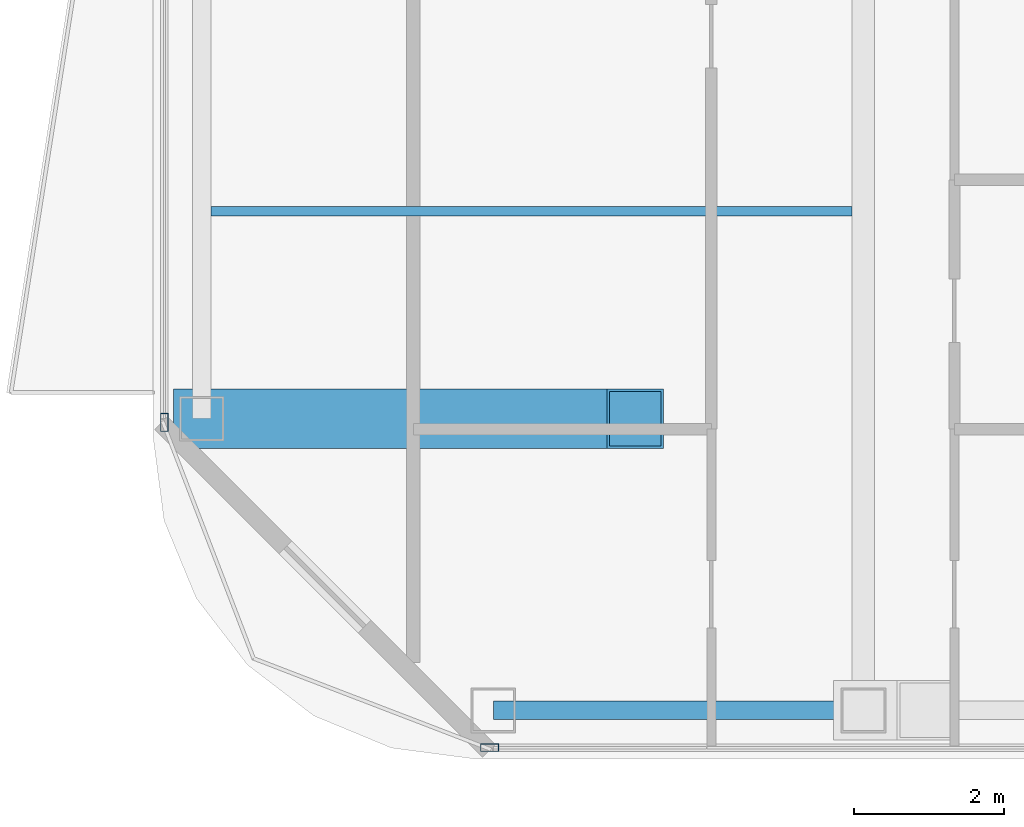
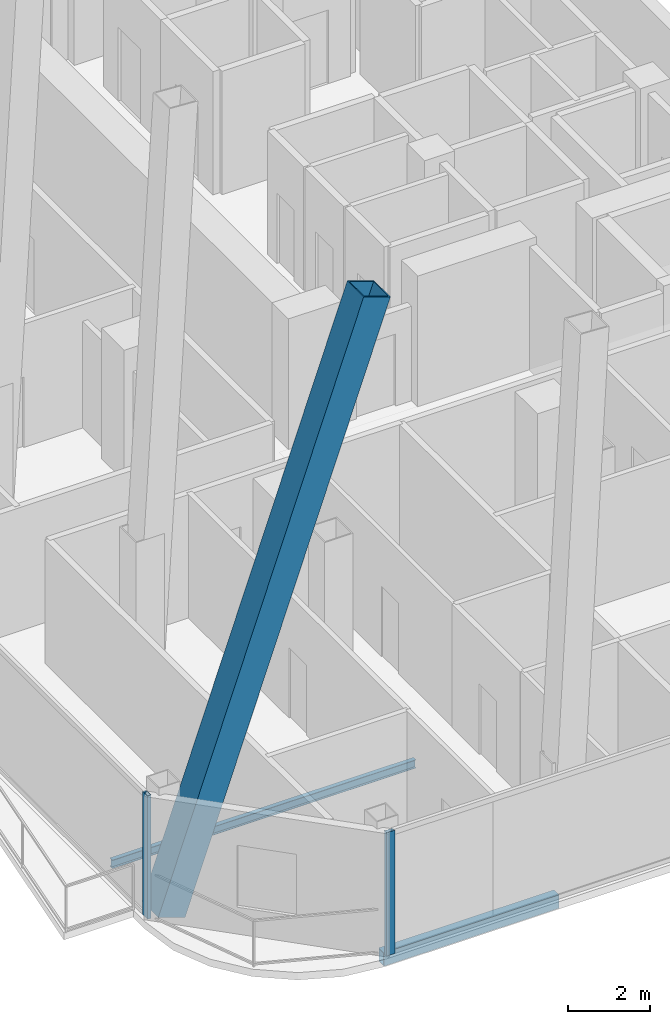
# One storey, part 2 of 27: 3 members, 2 beams, 2 elements without a shape of their own.
"""IFC4 building model written with IfcOpenShell, lengths in metres."""

from ifc_helpers import new_model, si_unit, direction, frame, origin, origin_2d, place, context, subcontext, project, spatial, hollow_rectangle, i_section, extrude, material, layer, layer_set, material_profile, profile_set, type_object, element, aggregate, save


model = new_model("IFC4")

# Units and contexts
model_context = context("Model", 3, precision=1e-05, world=origin(), true_north=direction((0.0, 1.0)))
body_context = subcontext(model_context, "Body", "Model", "MODEL_VIEW")
ifc_project = project(units=[si_unit("LENGTHUNIT", "METRE"), si_unit("AREAUNIT", "SQUARE_METRE"), si_unit("VOLUMEUNIT", "CUBIC_METRE"), si_unit("PLANEANGLEUNIT", "RADIAN"), si_unit("MASSUNIT", "GRAM", prefix="KILO")], contexts=[model_context])

# Site, building, storey
site_placement = place(None, origin())
site = spatial("IfcSite", under=ifc_project, at=site_placement, CompositionType="ELEMENT")
building_placement = place(site_placement, origin())
building = spatial("IfcBuilding", under=site, at=building_placement, Name="Khorvyn Point Tower", CompositionType="ELEMENT")
storey_placement = place(building_placement, frame((0.0, 0.0, 203.10009765625)))
storey = spatial("IfcBuildingStorey", under=building, at=storey_placement, Name="L50", CompositionType="ELEMENT", Elevation=203.10009765625)

# Curtain wall, member
ifc_material_1 = material(Name="Anodised aluminium 6063-T6 and laminated Low-E glass", Category="aluminium")
ifc_layer = layer(ifc_material_1, 0.18994140625)
ifc_layer_set = layer_set([ifc_layer], Name="Stick-Built Acoustic Curtain Wall CW-SYS-03")
curtain_wall_type = type_object("IfcCurtainWallType", Name="Stick-Built Acoustic Curtain Wall CW-SYS-03", PredefinedType="NOTDEFINED", material=ifc_layer_set)
curtain_wall_1_placement = place(storey_placement, origin())
curtain_wall_1 = element("IfcCurtainWall", 1, at=curtain_wall_1_placement, inside=storey, type_object=curtain_wall_type, Name="Curtain Wall", PredefinedType="NOTDEFINED")
ifc_material_2 = material(Name="Anodised aluminium 6063-T6", Category="aluminium")
ifc_material_profile_1 = material_profile(ifc_material_2, hollow_rectangle(XDim=0.10009765625, YDim=0.239990234375, WallThickness=0.0048828125, at=origin_2d()))
ifc_profile_set_1 = profile_set([ifc_material_profile_1], Name="Anodised aluminium 6063-T6 ALU-MUL-100x240")
member_type_1 = type_object("IfcMemberType", Name="Anodised Aluminium 6063-T6 Mullion ALU-MUL-100x240", PredefinedType="MULLION", material=ifc_profile_set_1)
member_1_placement = place(storey_placement, frame((-19.800048828125, -28.64990234375, 0.0), z_axis=(0.0, 0.0, 1.0), x_axis=(0.0, -1.0, 0.0)))
member_1 = element("IfcMember", 2, at=member_1_placement, type_object=member_type_1, Name="Transom", PredefinedType="MULLION", context=body_context, shape_type="SweptSolid", body=[
    extrude(hollow_rectangle(XDim=0.10009765625, YDim=0.239990234375, WallThickness=0.0048828125, at=origin_2d()), origin(), (0.0, 0.0, 1.0), 3.679931640625),
])
aggregate(curtain_wall_1, [member_1])

curtain_wall_2_placement = place(storey_placement, origin())
curtain_wall_2 = element("IfcCurtainWall", 3, at=curtain_wall_2_placement, inside=storey, type_object=curtain_wall_type, Name="Curtain Wall", PredefinedType="NOTDEFINED")
member_2_placement = place(storey_placement, frame((-24.14990234375, -24.300048828125, 0.0), z_axis=(0.0, 0.0, 1.0), x_axis=(-1.0, 0.0, 0.0)))
member_2 = element("IfcMember", 4, at=member_2_placement, type_object=member_type_1, Name="Transom", PredefinedType="MULLION", context=body_context, shape_type="SweptSolid", body=[
    extrude(hollow_rectangle(XDim=0.10009765625, YDim=0.239990234375, WallThickness=0.0048828125, at=origin_2d()), origin(), (0.0, 0.0, 1.0), 3.679931640625),
])
aggregate(curtain_wall_2, [member_2])

# Beams
ifc_material_3 = material(Name="Steel S355", Category="steel")
ifc_material_profile_2 = material_profile(ifc_material_3, i_section(OverallWidth=0.125, OverallDepth=0.25, WebThickness=0.006103515625, FlangeThickness=0.009033203125, at=origin_2d()))
ifc_profile_set_2 = profile_set([ifc_material_profile_2], Name="Steel S355 H250x125x6x9")
beam_type_1 = type_object("IfcBeamType", Name="Steel S355 Joist H250x125x6x9", PredefinedType="JOIST", material=ifc_profile_set_2)
beam_1_placement = place(storey_placement, frame((-23.52490234375, -21.47509765625, -0.34521484375), z_axis=(1.0, 0.0, 0.0), x_axis=(0.0, 1.0, 0.0)))
element("IfcBeam", 5, at=beam_1_placement, inside=storey, type_object=beam_type_1, Name="Beam", PredefinedType="JOIST", context=body_context, shape_type="SweptSolid", body=[
    extrude(i_section(OverallWidth=0.125, OverallDepth=0.25, WebThickness=0.006103515625, FlangeThickness=0.009033203125, at=origin_2d()), origin(), (0.0, 0.0, 1.0), 8.574951171875),
])
ifc_material_profile_3 = material_profile(ifc_material_3, hollow_rectangle(XDim=0.25, YDim=0.39990234375, WallThickness=0.01611328125, at=origin_2d()))
ifc_profile_set_3 = profile_set([ifc_material_profile_3], Name="Steel S355 RHS400x250x16")
beam_type_2 = type_object("IfcBeamType", Name="Steel S355 Spandrel RHS400x250x16", PredefinedType="SPANDREL", material=ifc_profile_set_3)
beam_2_placement = place(storey_placement, frame((-19.75, -28.14990234375, -0.420166015625), z_axis=(1.0, 0.0, 0.0), x_axis=(0.0, 1.0, 0.0)))
element("IfcBeam", 6, at=beam_2_placement, inside=storey, type_object=beam_type_2, Name="Beam", PredefinedType="SPANDREL", context=body_context, shape_type="SweptSolid", body=[
    extrude(hollow_rectangle(XDim=0.25, YDim=0.39990234375, WallThickness=0.01611328125, at=origin_2d()), origin(), (0.0, 0.0, 1.0), 4.949951171875),
])

# Member
ifc_material_4 = material(Name="Steel S450", Category="steel")
ifc_material_profile_4 = material_profile(ifc_material_4, hollow_rectangle(XDim=0.800048828125, YDim=0.800048828125, WallThickness=0.035888671875, at=origin_2d()))
ifc_profile_set_4 = profile_set([ifc_material_profile_4], Name="Steel S450 BOX800x800x36")
member_type_2 = type_object("IfcMemberType", Name="Steel S450 Exoskeleton Structural Post BOX800x800x36", PredefinedType="POST", material=ifc_profile_set_4)
member_3_placement = place(storey_placement, frame((-23.64990234375, -24.25, 0.0), z_axis=(0.331613602949, 0.0, 0.943415294735), x_axis=(0.0, 1.0, 0.0)))
element("IfcMember", 7, at=member_3_placement, inside=storey, type_object=member_type_2, Name="L50 to L54 Exoskeleton Transfer Post 04", PredefinedType="POST", context=body_context, shape_type="SweptSolid", body=[
    extrude(hollow_rectangle(XDim=0.800048828125, YDim=0.800048828125, WallThickness=0.035888671875, at=origin_2d()), origin(), (0.0, 0.0, 1.0), 17.48974609375),
])

save(model, "model.ifc")
